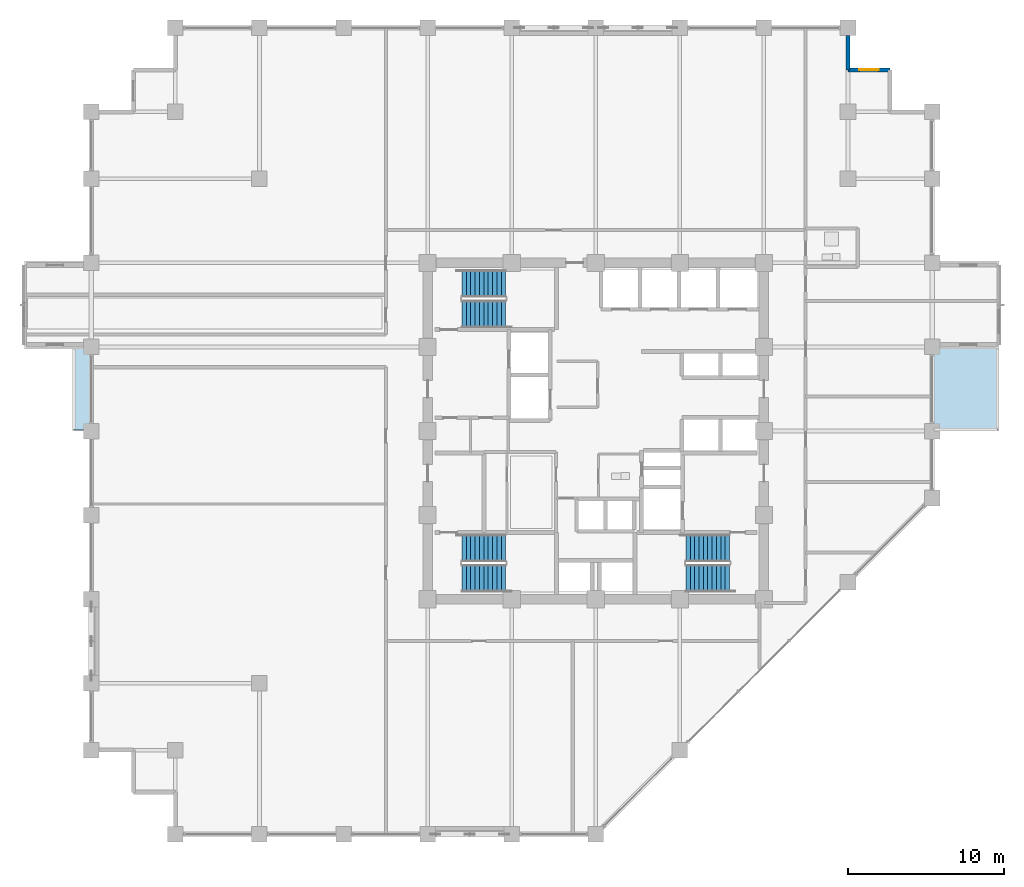
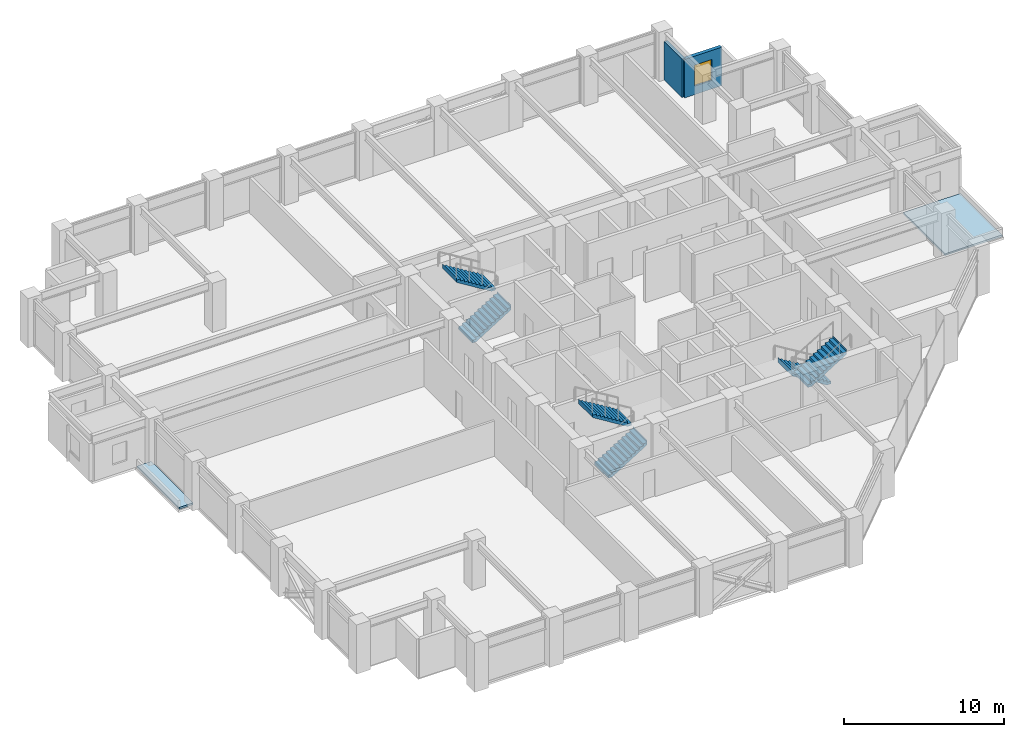
# One storey, part 25 of 29: 6 stair flights, 2 roofs, 2 walls, 1 window, 1 opening, 3 elements without a shape of their own.
"""IFC4 building model written with IfcOpenShell, lengths in metres."""

from ifc_helpers import new_model, si_unit, direction, frame, frame_2d, origin, place, context, subcontext, project, spatial, polyline, rectangle, outline, extrude, material, layer, layer_set, type_object, element, fill, aggregate, save


model = new_model("IFC4")

# Units and contexts
model_context = context("Model", 3, precision=1e-05, world=origin(), true_north=direction((0.0, 1.0)))
body_context = subcontext(model_context, "Body", "Model", "MODEL_VIEW")
ifc_project = project(units=[si_unit("LENGTHUNIT", "METRE"), si_unit("AREAUNIT", "SQUARE_METRE"), si_unit("VOLUMEUNIT", "CUBIC_METRE"), si_unit("PLANEANGLEUNIT", "RADIAN"), si_unit("MASSUNIT", "GRAM", prefix="KILO")], contexts=[model_context])

# Site, building, storey
site_placement = place(None, origin())
site = spatial("IfcSite", under=ifc_project, at=site_placement, CompositionType="ELEMENT")
building_placement = place(site_placement, origin())
building = spatial("IfcBuilding", under=site, at=building_placement, Name="Surkhivell Harbour Commons", CompositionType="ELEMENT")
storey_placement = place(building_placement, frame((0.0, 0.0, 150.75)))
storey = spatial("IfcBuildingStorey", under=building, at=storey_placement, Name="L39", CompositionType="ELEMENT", Elevation=150.75)

# Wall, opening, window
ifc_material_1 = material(Name="Pale-metal insulated precast concrete C45/55", Category="concrete")
ifc_layer_1 = layer(ifc_material_1, 0.260009765625)
ifc_layer_set_1 = layer_set([ifc_layer_1], Name="Pale-metal insulated precast concrete C45/55")
wall_type = type_object("IfcWallType", Name="WAL-EXT-MTL260", PredefinedType="STANDARD", material=ifc_layer_set_1)
wall_1_placement = place(storey_placement, frame((18.89990234375, 23.199951171875, 0.0), z_axis=(0.0, 0.0, 1.0), x_axis=(-1.0, 0.0, 0.0)))
wall_1 = element("IfcWall", 1, at=wall_1_placement, inside=storey, type_object=wall_type, Name="L39 Serrated Corner Facade Wall 05", PredefinedType="STANDARD", context=body_context, shape_type="SweptSolid", body=[
    extrude(rectangle(XDim=2.699951171875, YDim=0.260009765625, at=frame_2d((1.35009765625, 0.0))), origin(), (0.0, 0.0, 1.0), 2.93310546875),
])
opening_placement = place(wall_1_placement, frame((0.72509765625, 0.0, 0.64990234375)))
opening = element("IfcOpeningElement", 2, at=opening_placement, cuts=wall_1, Name="Opening WN-09", PredefinedType="OPENING", context=body_context, shape_type="SweptSolid", body=[
    extrude(rectangle(XDim=1.25, YDim=1.60009765625, at=frame_2d((0.625, 0.800048828125))), frame((0.0, 0.139892578125, 0.0), z_axis=(0.0, -1.0, 0.0), x_axis=(1.0, 0.0, 0.0)), (0.0, 0.0, 1.0), 0.280029296875),
])
ifc_material_2 = material(Name="Thermal-break aluminium frame and double low-E glazing", Category="aluminium")
window_type = type_object("IfcWindowType", Name="WIN-SER-1250x1600", PartitioningType="SINGLE_PANEL", PredefinedType="WINDOW", material=ifc_material_2)
window_placement = place(opening_placement, origin())
window = element("IfcWindow", 3, at=window_placement, inside=storey, type_object=window_type, Name="L39 Serrated Alcove Window 05", OverallHeight=1.60009765625, OverallWidth=1.25, PartitioningType="SINGLE_PANEL", PredefinedType="WINDOW", context=body_context, shape_type="SweptSolid", body=[
    extrude(rectangle(XDim=1.25, YDim=1.60009765625, at=frame_2d((0.625, 0.800048828125))), frame((0.0, 0.030029296875, 0.0), z_axis=(0.0, -1.0, 0.0), x_axis=(1.0, 0.0, 0.0)), (0.0, 0.0, 1.0), 0.06005859375),
])
fill(opening, window)

# Wall
wall_2_placement = place(storey_placement, frame((16.199951171875, 23.199951171875, 0.0), z_axis=(0.0, 0.0, 1.0), x_axis=(0.0, 1.0, 0.0)))
element("IfcWall", 4, at=wall_2_placement, inside=storey, type_object=wall_type, Name="L39 Serrated Corner Facade Wall 06", PredefinedType="STANDARD", context=body_context, shape_type="SweptSolid", body=[
    extrude(rectangle(XDim=2.2021484375, YDim=0.260009765625, at=frame_2d((1.10107421875, 0.0))), origin(), (0.0, 0.0, 1.0), 2.93310546875),
])

# Stair, stair flights
ifc_material_3 = material(Name="Precast concrete C45/55", Category="concrete")
stair_type = type_object("IfcStairType", Name="STR-DL-375", PredefinedType="HALF_TURN_STAIR", material=ifc_material_3)
stair_1_placement = place(storey_placement, origin())
stair_1 = element("IfcStair", 5, at=stair_1_placement, inside=storey, type_object=stair_type, Name="L39 Core Exit Stair ST1", PredefinedType="HALF_TURN_STAIR")
stair_flight_type = type_object("IfcStairFlightType", Name="STF-DL-375", PredefinedType="STRAIGHT", material=ifc_material_3)
stair_flight_1_placement = place(storey_placement, frame((-8.590087890625, 7.514892578125, 0.0), z_axis=(0.0, 0.0, 1.0), x_axis=(1.0, 0.0, 0.0)))
stair_flight_1 = element("IfcStairFlight", 6, at=stair_flight_1_placement, type_object=stair_flight_type, Name="ST1 flight 1", NumberOfRisers=11, NumberOfTreads=10, PredefinedType="STRAIGHT", RiserHeight=0.170454545, TreadLength=0.28, context=body_context, shape_type="SweptSolid", body=[
    extrude(outline(polyline([(-0.0029296875, -0.034912109375), (-0.0029296875, 0.0), (0.0, 0.0), (0.0, 0.17041015625), (0.280029296875, 0.17041015625), (0.280029296875, 0.3408203125), (0.56005859375, 0.3408203125), (0.56005859375, 0.511474609375), (0.840087890625, 0.511474609375), (0.840087890625, 0.681884765625), (1.1201171875, 0.681884765625), (1.1201171875, 0.852294921875), (1.39990234375, 0.852294921875), (1.39990234375, 1.022705078125), (1.679931640625, 1.022705078125), (1.679931640625, 1.193115234375), (1.9599609375, 1.193115234375), (1.9599609375, 1.363525390625), (2.239990234375, 1.363525390625), (2.239990234375, 1.5341796875), (2.52001953125, 1.5341796875), (2.52001953125, 1.70458984375), (2.800048828125, 1.70458984375), (2.800048828125, 1.875), (2.802978515625, 1.875), (2.802978515625, 1.529052734375), (0.288330078125, -0.034912109375), (-0.0029296875, -0.034912109375)])), frame((0.0, 0.875, 0.0), z_axis=(0.0, -1.0, 0.0), x_axis=(1.0, 0.0, 0.0)), (0.0, 0.0, 1.0), 1.75),
])
stair_flight_2_placement = place(storey_placement, frame((-5.7900390625, 9.465087890625, 1.875), z_axis=(0.0, 0.0, 1.0), x_axis=(-1.0, 0.0, 0.0)))
stair_flight_2 = element("IfcStairFlight", 7, at=stair_flight_2_placement, type_object=stair_flight_type, Name="ST1 flight 2", NumberOfRisers=11, NumberOfTreads=10, PredefinedType="STRAIGHT", RiserHeight=0.170454545, TreadLength=0.28, context=body_context, shape_type="SweptSolid", body=[
    extrude(outline(polyline([(-0.0029296875, -0.034912109375), (-0.0029296875, 0.0), (0.0, 0.0), (0.0, 0.17041015625), (0.280029296875, 0.17041015625), (0.280029296875, 0.3408203125), (0.56005859375, 0.3408203125), (0.56005859375, 0.511474609375), (0.840087890625, 0.511474609375), (0.840087890625, 0.681884765625), (1.1201171875, 0.681884765625), (1.1201171875, 0.852294921875), (1.39990234375, 0.852294921875), (1.39990234375, 1.022705078125), (1.679931640625, 1.022705078125), (1.679931640625, 1.193115234375), (1.9599609375, 1.193115234375), (1.9599609375, 1.363525390625), (2.239990234375, 1.363525390625), (2.239990234375, 1.5341796875), (2.52001953125, 1.5341796875), (2.52001953125, 1.70458984375), (2.800048828125, 1.70458984375), (2.800048828125, 1.875), (2.802978515625, 1.875), (2.802978515625, 1.529052734375), (0.288330078125, -0.034912109375), (-0.0029296875, -0.034912109375)])), frame((0.0, 0.875, 0.0), z_axis=(0.0, -1.0, 0.0), x_axis=(1.0, 0.0, 0.0)), (0.0, 0.0, 1.0), 1.75),
])
aggregate(stair_1, [stair_flight_1, stair_flight_2])

stair_2_placement = place(storey_placement, origin())
stair_2 = element("IfcStair", 8, at=stair_2_placement, inside=storey, type_object=stair_type, Name="L39 Core Exit Stair ST2", PredefinedType="HALF_TURN_STAIR")
stair_flight_3_placement = place(storey_placement, frame((8.590087890625, -7.514892578125, 0.0), z_axis=(0.0, 0.0, 1.0), x_axis=(-1.0, 0.0, 0.0)))
stair_flight_3 = element("IfcStairFlight", 9, at=stair_flight_3_placement, type_object=stair_flight_type, Name="ST2 flight 1", NumberOfRisers=11, NumberOfTreads=10, PredefinedType="STRAIGHT", RiserHeight=0.170454545, TreadLength=0.28, context=body_context, shape_type="SweptSolid", body=[
    extrude(outline(polyline([(-0.0029296875, -0.034912109375), (-0.0029296875, 0.0), (0.0, 0.0), (0.0, 0.17041015625), (0.280029296875, 0.17041015625), (0.280029296875, 0.3408203125), (0.56005859375, 0.3408203125), (0.56005859375, 0.511474609375), (0.840087890625, 0.511474609375), (0.840087890625, 0.681884765625), (1.1201171875, 0.681884765625), (1.1201171875, 0.852294921875), (1.39990234375, 0.852294921875), (1.39990234375, 1.022705078125), (1.679931640625, 1.022705078125), (1.679931640625, 1.193115234375), (1.9599609375, 1.193115234375), (1.9599609375, 1.363525390625), (2.239990234375, 1.363525390625), (2.239990234375, 1.5341796875), (2.52001953125, 1.5341796875), (2.52001953125, 1.70458984375), (2.800048828125, 1.70458984375), (2.800048828125, 1.875), (2.802978515625, 1.875), (2.802978515625, 1.529052734375), (0.288330078125, -0.034912109375), (-0.0029296875, -0.034912109375)])), frame((0.0, 0.875, 0.0), z_axis=(0.0, -1.0, 0.0), x_axis=(1.0, 0.0, 0.0)), (0.0, 0.0, 1.0), 1.75),
])
stair_flight_4_placement = place(storey_placement, frame((5.7900390625, -9.465087890625, 1.875), z_axis=(0.0, 0.0, 1.0), x_axis=(1.0, 0.0, 0.0)))
stair_flight_4 = element("IfcStairFlight", 10, at=stair_flight_4_placement, type_object=stair_flight_type, Name="ST2 flight 2", NumberOfRisers=11, NumberOfTreads=10, PredefinedType="STRAIGHT", RiserHeight=0.170454545, TreadLength=0.28, context=body_context, shape_type="SweptSolid", body=[
    extrude(outline(polyline([(-0.0029296875, -0.034912109375), (-0.0029296875, 0.0), (0.0, 0.0), (0.0, 0.17041015625), (0.280029296875, 0.17041015625), (0.280029296875, 0.3408203125), (0.56005859375, 0.3408203125), (0.56005859375, 0.511474609375), (0.840087890625, 0.511474609375), (0.840087890625, 0.681884765625), (1.1201171875, 0.681884765625), (1.1201171875, 0.852294921875), (1.39990234375, 0.852294921875), (1.39990234375, 1.022705078125), (1.679931640625, 1.022705078125), (1.679931640625, 1.193115234375), (1.9599609375, 1.193115234375), (1.9599609375, 1.363525390625), (2.239990234375, 1.363525390625), (2.239990234375, 1.5341796875), (2.52001953125, 1.5341796875), (2.52001953125, 1.70458984375), (2.800048828125, 1.70458984375), (2.800048828125, 1.875), (2.802978515625, 1.875), (2.802978515625, 1.529052734375), (0.288330078125, -0.034912109375), (-0.0029296875, -0.034912109375)])), frame((0.0, 0.875, 0.0), z_axis=(0.0, -1.0, 0.0), x_axis=(1.0, 0.0, 0.0)), (0.0, 0.0, 1.0), 1.75),
])
aggregate(stair_2, [stair_flight_3, stair_flight_4])

stair_3_placement = place(storey_placement, origin())
stair_3 = element("IfcStair", 11, at=stair_3_placement, inside=storey, type_object=stair_type, Name="L39 Core Exit Stair ST3", PredefinedType="HALF_TURN_STAIR")
stair_flight_5_placement = place(storey_placement, frame((-8.590087890625, -9.465087890625, 0.0), z_axis=(0.0, 0.0, 1.0), x_axis=(1.0, 0.0, 0.0)))
stair_flight_5 = element("IfcStairFlight", 12, at=stair_flight_5_placement, type_object=stair_flight_type, Name="ST3 flight 1", NumberOfRisers=11, NumberOfTreads=10, PredefinedType="STRAIGHT", RiserHeight=0.170454545, TreadLength=0.28, context=body_context, shape_type="SweptSolid", body=[
    extrude(outline(polyline([(-0.0029296875, -0.034912109375), (-0.0029296875, 0.0), (0.0, 0.0), (0.0, 0.17041015625), (0.280029296875, 0.17041015625), (0.280029296875, 0.3408203125), (0.56005859375, 0.3408203125), (0.56005859375, 0.511474609375), (0.840087890625, 0.511474609375), (0.840087890625, 0.681884765625), (1.1201171875, 0.681884765625), (1.1201171875, 0.852294921875), (1.39990234375, 0.852294921875), (1.39990234375, 1.022705078125), (1.679931640625, 1.022705078125), (1.679931640625, 1.193115234375), (1.9599609375, 1.193115234375), (1.9599609375, 1.363525390625), (2.239990234375, 1.363525390625), (2.239990234375, 1.5341796875), (2.52001953125, 1.5341796875), (2.52001953125, 1.70458984375), (2.800048828125, 1.70458984375), (2.800048828125, 1.875), (2.802978515625, 1.875), (2.802978515625, 1.529052734375), (0.288330078125, -0.034912109375), (-0.0029296875, -0.034912109375)])), frame((0.0, 0.875, 0.0), z_axis=(0.0, -1.0, 0.0), x_axis=(1.0, 0.0, 0.0)), (0.0, 0.0, 1.0), 1.75),
])
stair_flight_6_placement = place(storey_placement, frame((-5.7900390625, -7.514892578125, 1.875), z_axis=(0.0, 0.0, 1.0), x_axis=(-1.0, 0.0, 0.0)))
stair_flight_6 = element("IfcStairFlight", 13, at=stair_flight_6_placement, type_object=stair_flight_type, Name="ST3 flight 2", NumberOfRisers=11, NumberOfTreads=10, PredefinedType="STRAIGHT", RiserHeight=0.170454545, TreadLength=0.28, context=body_context, shape_type="SweptSolid", body=[
    extrude(outline(polyline([(-0.0029296875, -0.034912109375), (-0.0029296875, 0.0), (0.0, 0.0), (0.0, 0.17041015625), (0.280029296875, 0.17041015625), (0.280029296875, 0.3408203125), (0.56005859375, 0.3408203125), (0.56005859375, 0.511474609375), (0.840087890625, 0.511474609375), (0.840087890625, 0.681884765625), (1.1201171875, 0.681884765625), (1.1201171875, 0.852294921875), (1.39990234375, 0.852294921875), (1.39990234375, 1.022705078125), (1.679931640625, 1.022705078125), (1.679931640625, 1.193115234375), (1.9599609375, 1.193115234375), (1.9599609375, 1.363525390625), (2.239990234375, 1.363525390625), (2.239990234375, 1.5341796875), (2.52001953125, 1.5341796875), (2.52001953125, 1.70458984375), (2.800048828125, 1.70458984375), (2.800048828125, 1.875), (2.802978515625, 1.875), (2.802978515625, 1.529052734375), (0.288330078125, -0.034912109375), (-0.0029296875, -0.034912109375)])), frame((0.0, 0.875, 0.0), z_axis=(0.0, -1.0, 0.0), x_axis=(1.0, 0.0, 0.0)), (0.0, 0.0, 1.0), 1.75),
])
aggregate(stair_3, [stair_flight_5, stair_flight_6])

# Roofs
ifc_material_4 = material(Name="Vermilion-coral and saffron enamelled aluminium box roof cap", Category="aluminium")
ifc_layer_2 = layer(ifc_material_4, 0.139892578125)
ifc_layer_set_2 = layer_set([ifc_layer_2], Name="Vermilion-coral and saffron enamelled aluminium box roof cap")
roof_type = type_object("IfcRoofType", Name="ROF-BOX-CAP", PredefinedType="FLAT_ROOF", material=ifc_layer_set_2)
roof_1_placement = place(storey_placement, origin())
element("IfcRoof", 14, at=roof_1_placement, inside=storey, type_object=roof_type, Name="L39 Closed Coloured Box Roof Cap 1-1", PredefinedType="FLAT_ROOF", context=body_context, shape_type="SweptSolid", body=[
    extrude(outline(polyline([(21.699951171875, 5.300048828125), (21.699951171875, 0.080078125), (25.820068359375, 0.080078125), (25.820068359375, 5.300048828125), (21.699951171875, 5.300048828125)])), origin(), (0.0, 0.0, 1.0), 0.139892578125),
])
roof_2_placement = place(storey_placement, origin())
element("IfcRoof", 15, at=roof_2_placement, inside=storey, type_object=roof_type, Name="L39 Closed Coloured Box Roof Cap 2-1", PredefinedType="FLAT_ROOF", context=body_context, shape_type="SweptSolid", body=[
    extrude(outline(polyline([(-32.5, 0.080078125), (-32.5, 5.300048828125), (-33.52001953125, 5.300048828125), (-33.52001953125, 0.080078125), (-32.5, 0.080078125)])), origin(), (0.0, 0.0, 1.0), 0.139892578125),
])

save(model, "model.ifc")
